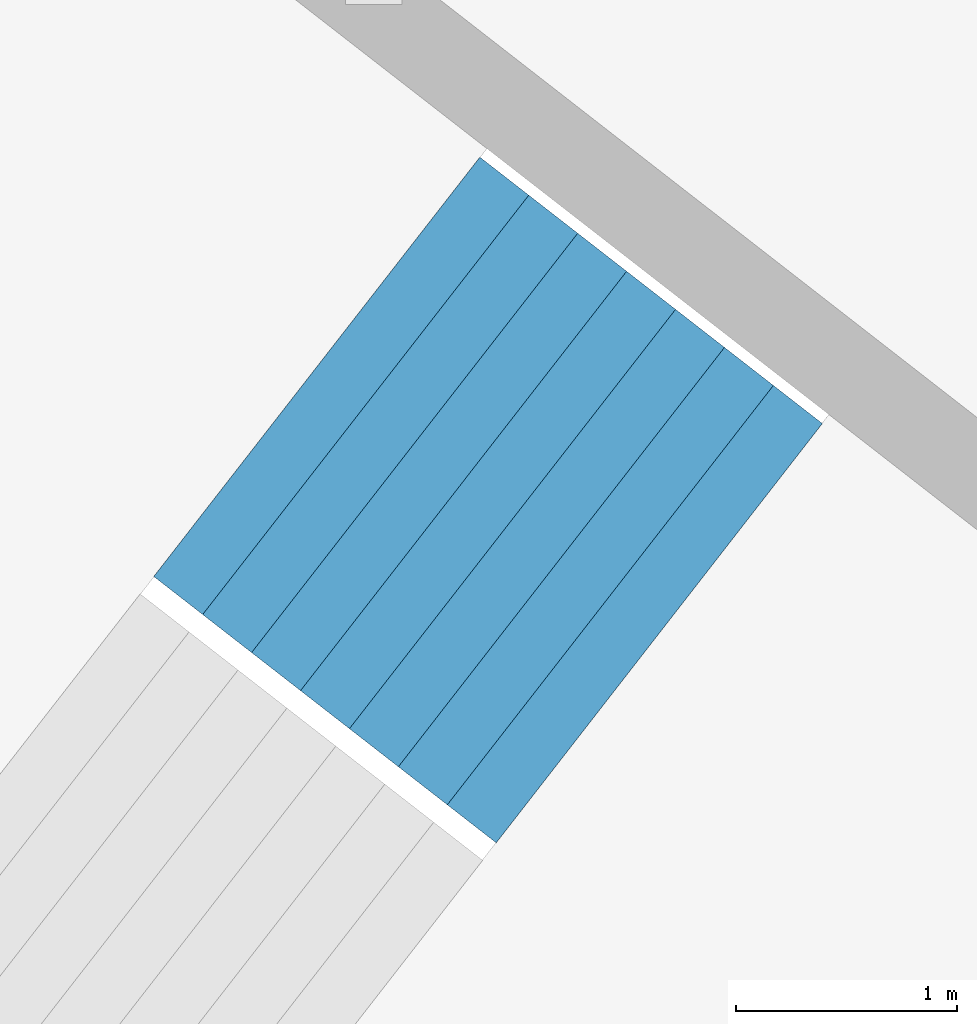
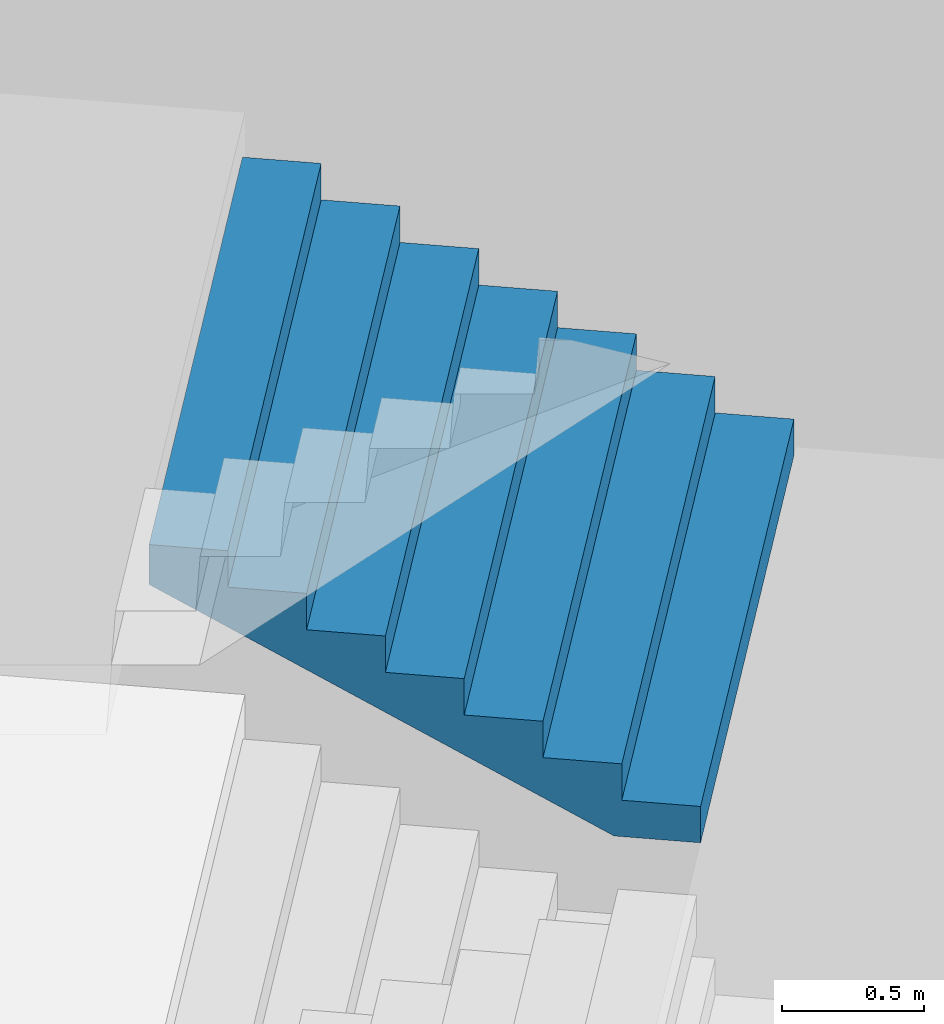
# One storey, part 40 of 73: 1 stair flight, 1 element without a shape of its own.
"""IFC4 building model written with IfcOpenShell, lengths in metres."""

from ifc_helpers import new_model, si_unit, direction, frame, origin, place, context, subcontext, project, spatial, triangles, material, type_object, element, aggregate, save


model = new_model("IFC4")

# Units and contexts
model_context = context("Model", 3, precision=1e-05, world=origin(), true_north=direction((0.0, 1.0)))
body_context = subcontext(model_context, "Body", "Model", "MODEL_VIEW")
ifc_project = project(units=[si_unit("LENGTHUNIT", "METRE"), si_unit("AREAUNIT", "SQUARE_METRE"), si_unit("VOLUMEUNIT", "CUBIC_METRE"), si_unit("PLANEANGLEUNIT", "RADIAN"), si_unit("MASSUNIT", "GRAM", prefix="KILO")], contexts=[model_context])

# Site, building, storey
site_placement = place(None, origin())
site = spatial("IfcSite", under=ifc_project, at=site_placement, CompositionType="ELEMENT")
building_placement = place(site_placement, origin())
building = spatial("IfcBuilding", under=site, at=building_placement, Name="Lantaw Convention Tower", CompositionType="ELEMENT")
storey_placement = place(building_placement, frame((0.0, 0.0, 27.0)))
storey = spatial("IfcBuildingStorey", under=building, at=storey_placement, Name="L04", CompositionType="ELEMENT", Elevation=27.0)

# Stair, stair flight
ifc_material = material(Name="Concrete C35/45", Category="concrete")
stair_type = type_object("IfcStairType", Name="Exit stair 2400 riser 156.25 in 4 flights", PredefinedType="HALF_TURN_STAIR", material=ifc_material)
stair_placement = place(storey_placement, origin())
stair = element("IfcStair", 1, at=stair_placement, inside=storey, type_object=stair_type, Name="Podium exit stair P7 L04", PredefinedType="HALF_TURN_STAIR")
stair_flight_type = type_object("IfcStairFlightType", Name="Stair flight 2400 riser 156.25", PredefinedType="STRAIGHT", material=ifc_material)
stair_flight_placement = place(storey_placement, frame((-27.959716796875, 23.327880859375, 2.5), z_axis=(0.0, 0.0, 1.0), x_axis=(-0.789378829664, 0.613906396186, 0.0)))
stair_flight = element("IfcStairFlight", 2, at=stair_flight_placement, type_object=stair_flight_type, Name="P7 flight 3", NumberOfRisers=8, NumberOfTreads=7, PredefinedType="STRAIGHT", RiserHeight=0.15625, TreadLength=0.28, context=body_context, shape_type="Tessellation", body=[
    triangles([(0.0, 1.199951171875, 0.0), (0.0, 1.199951171875, 0.15625), (0.28, 1.199951171875, 0.0), (0.28, 1.199951171875, 0.15625), (0.28, 1.199951171875, 0.3125), (0.3076200632058044, 1.199951171875, 0.0), (0.3076200632058044, 1.199951171875, 0.3125), (0.56, 1.199951171875, 0.14083701830033238), (0.56, 1.199951171875, 0.3125), (0.56, 1.199951171875, 0.46875), (0.8400000000000001, 1.199951171875, 0.29708701830033235), (0.8400000000000001, 1.199951171875, 0.46875), (0.8400000000000001, 1.199951171875, 0.625), (1.12, 1.199951171875, 0.45333701830033235), (1.12, 1.199951171875, 0.625), (1.12, 1.199951171875, 0.78125), (1.4000000000000001, 1.199951171875, 0.6095870183003324), (1.4000000000000001, 1.199951171875, 0.78125), (1.4000000000000001, 1.199951171875, 0.9375), (1.6800000000000002, 1.199951171875, 0.7658370183003324), (1.6800000000000002, 1.199951171875, 0.9375), (1.6800000000000002, 1.199951171875, 1.09375), (1.9600000000000002, 1.199951171875, 0.9220870183003324), (1.9600000000000002, 1.199951171875, 1.09375), (0.0, -1.199951171875, 0.0), (0.0, -1.199951171875, 0.15625), (0.28, -1.199951171875, 0.0), (0.28, -1.199951171875, 0.15625), (0.28, -1.199951171875, 0.3125), (0.3076200632058044, -1.199951171875, 0.0), (0.3076200632058044, -1.199951171875, 0.3125), (0.56, -1.199951171875, 0.14083701830033238), (0.56, -1.199951171875, 0.3125), (0.56, -1.199951171875, 0.46875), (0.8400000000000001, -1.199951171875, 0.29708701830033235), (0.8400000000000001, -1.199951171875, 0.46875), (0.8400000000000001, -1.199951171875, 0.625), (1.12, -1.199951171875, 0.45333701830033235), (1.12, -1.199951171875, 0.625), (1.12, -1.199951171875, 0.78125), (1.4000000000000001, -1.199951171875, 0.6095870183003324), (1.4000000000000001, -1.199951171875, 0.78125), (1.4000000000000001, -1.199951171875, 0.9375), (1.6800000000000002, -1.199951171875, 0.7658370183003324), (1.6800000000000002, -1.199951171875, 0.9375), (1.6800000000000002, -1.199951171875, 1.09375), (1.9600000000000002, -1.199951171875, 0.9220870183003324), (1.9600000000000002, -1.199951171875, 1.09375), (0.0, 0.239990234375, 0.15625), (0.0, 0.239990234375, 0.0), (0.0, 0.1919921875, 0.15625), (0.0, 0.1919921875, 0.0), (0.0, 0.143994140625, 0.15625), (0.0, 0.143994140625, 0.0), (0.0, 0.09599609375, 0.15625), (0.0, 0.09599609375, 0.0), (0.0, 0.047998046875, 0.15625), (0.0, 0.047998046875, 0.0), (0.0, 0.0, 0.15625), (0.0, 0.0, 0.0), (0.0, -0.047998046875, 0.15625), (0.0, -0.047998046875, 0.0), (0.0, -0.09599609375, 0.15625), (0.0, -0.09599609375, 0.0), (0.0, -0.143994140625, 0.15625), (0.0, -0.143994140625, 0.0), (0.0, -0.1919921875, 0.15625), (0.0, -0.1919921875, 0.0), (0.0, -0.239990234375, 0.15625), (0.0, -0.239990234375, 0.0), (0.28, 0.239990234375, 0.3125), (0.28, 0.239990234375, 0.15625), (0.28, 0.1919921875, 0.3125), (0.28, 0.1919921875, 0.15625), (0.28, 0.143994140625, 0.3125), (0.28, 0.143994140625, 0.15625), (0.28, 0.09599609375, 0.3125), (0.28, 0.09599609375, 0.15625), (0.28, 0.047998046875, 0.3125), (0.28, 0.047998046875, 0.15625), (0.28, 0.0, 0.3125), (0.28, 0.0, 0.15625), (0.28, -0.047998046875, 0.3125), (0.28, -0.047998046875, 0.15625), (0.28, -0.09599609375, 0.3125), (0.28, -0.09599609375, 0.15625), (0.28, -0.143994140625, 0.3125), (0.28, -0.143994140625, 0.15625), (0.28, -0.1919921875, 0.3125), (0.28, -0.1919921875, 0.15625), (0.28, -0.239990234375, 0.3125), (0.28, -0.239990234375, 0.15625), (0.56, 0.239990234375, 0.46875), (0.56, 0.239990234375, 0.3125), (0.56, 0.1919921875, 0.46875), (0.56, 0.1919921875, 0.3125), (0.56, 0.143994140625, 0.46875), (0.56, 0.143994140625, 0.3125), (0.56, 0.09599609375, 0.46875), (0.56, 0.09599609375, 0.3125), (0.56, 0.047998046875, 0.46875), (0.56, 0.047998046875, 0.3125), (0.56, 0.0, 0.46875), (0.56, 0.0, 0.3125), (0.56, -0.047998046875, 0.46875), (0.56, -0.047998046875, 0.3125), (0.56, -0.09599609375, 0.46875), (0.56, -0.09599609375, 0.3125), (0.56, -0.143994140625, 0.46875), (0.56, -0.143994140625, 0.3125), (0.56, -0.1919921875, 0.46875), (0.56, -0.1919921875, 0.3125), (0.56, -0.239990234375, 0.46875), (0.56, -0.239990234375, 0.3125), (0.8400000000000001, 0.239990234375, 0.625), (0.8400000000000001, 0.239990234375, 0.46875), (0.8400000000000001, 0.1919921875, 0.625), (0.8400000000000001, 0.1919921875, 0.46875), (0.8400000000000001, 0.143994140625, 0.625), (0.8400000000000001, 0.143994140625, 0.46875), (0.8400000000000001, 0.09599609375, 0.625), (0.8400000000000001, 0.09599609375, 0.46875), (0.8400000000000001, 0.047998046875, 0.625), (0.8400000000000001, 0.047998046875, 0.46875), (0.8400000000000001, 0.0, 0.625), (0.8400000000000001, 0.0, 0.46875), (0.8400000000000001, -0.047998046875, 0.625), (0.8400000000000001, -0.047998046875, 0.46875), (0.8400000000000001, -0.09599609375, 0.625), (0.8400000000000001, -0.09599609375, 0.46875), (0.8400000000000001, -0.143994140625, 0.625), (0.8400000000000001, -0.143994140625, 0.46875), (0.8400000000000001, -0.1919921875, 0.625), (0.8400000000000001, -0.1919921875, 0.46875), (0.8400000000000001, -0.239990234375, 0.625), (0.8400000000000001, -0.239990234375, 0.46875), (1.12, 0.239990234375, 0.78125), (1.12, 0.239990234375, 0.625), (1.12, 0.1919921875, 0.78125), (1.12, 0.1919921875, 0.625), (1.12, 0.143994140625, 0.78125), (1.12, 0.143994140625, 0.625), (1.12, 0.09599609375, 0.78125), (1.12, 0.09599609375, 0.625), (1.12, 0.047998046875, 0.78125), (1.12, 0.047998046875, 0.625), (1.12, 0.0, 0.78125), (1.12, 0.0, 0.625), (1.12, -0.047998046875, 0.78125), (1.12, -0.047998046875, 0.625), (1.12, -0.09599609375, 0.78125), (1.12, -0.09599609375, 0.625), (1.12, -0.143994140625, 0.78125), (1.12, -0.143994140625, 0.625), (1.12, -0.1919921875, 0.78125), (1.12, -0.1919921875, 0.625), (1.12, -0.239990234375, 0.78125), (1.12, -0.239990234375, 0.625), (1.4000000000000001, 0.239990234375, 0.9375), (1.4000000000000001, 0.239990234375, 0.78125), (1.4000000000000001, 0.1919921875, 0.9375), (1.4000000000000001, 0.1919921875, 0.78125), (1.4000000000000001, 0.143994140625, 0.9375), (1.4000000000000001, 0.143994140625, 0.78125), (1.4000000000000001, 0.09599609375, 0.9375), (1.4000000000000001, 0.09599609375, 0.78125), (1.4000000000000001, 0.047998046875, 0.9375), (1.4000000000000001, 0.047998046875, 0.78125), (1.4000000000000001, 0.0, 0.9375), (1.4000000000000001, 0.0, 0.78125), (1.4000000000000001, -0.047998046875, 0.9375), (1.4000000000000001, -0.047998046875, 0.78125), (1.4000000000000001, -0.09599609375, 0.9375), (1.4000000000000001, -0.09599609375, 0.78125), (1.4000000000000001, -0.143994140625, 0.9375), (1.4000000000000001, -0.143994140625, 0.78125), (1.4000000000000001, -0.1919921875, 0.9375), (1.4000000000000001, -0.1919921875, 0.78125), (1.4000000000000001, -0.239990234375, 0.9375), (1.4000000000000001, -0.239990234375, 0.78125), (1.6800000000000002, 0.239990234375, 1.09375), (1.6800000000000002, 0.239990234375, 0.9375), (1.6800000000000002, 0.1919921875, 1.09375), (1.6800000000000002, 0.1919921875, 0.9375), (1.6800000000000002, 0.143994140625, 1.09375), (1.6800000000000002, 0.143994140625, 0.9375), (1.6800000000000002, 0.09599609375, 1.09375), (1.6800000000000002, 0.09599609375, 0.9375), (1.6800000000000002, 0.047998046875, 1.09375), (1.6800000000000002, 0.047998046875, 0.9375), (1.6800000000000002, 0.0, 1.09375), (1.6800000000000002, 0.0, 0.9375), (1.6800000000000002, -0.047998046875, 1.09375), (1.6800000000000002, -0.047998046875, 0.9375), (1.6800000000000002, -0.09599609375, 1.09375), (1.6800000000000002, -0.09599609375, 0.9375), (1.6800000000000002, -0.143994140625, 1.09375), (1.6800000000000002, -0.143994140625, 0.9375), (1.6800000000000002, -0.1919921875, 1.09375), (1.6800000000000002, -0.1919921875, 0.9375), (1.6800000000000002, -0.239990234375, 1.09375), (1.6800000000000002, -0.239990234375, 0.9375), (0.3076200632058044, 0.239990234375, 0.3125), (0.3076200632058044, 0.1919921875, 0.3125), (0.3076200632058044, 0.143994140625, 0.3125), (0.3076200632058044, 0.09599609375, 0.3125), (0.3076200632058044, 0.047998046875, 0.3125), (0.3076200632058044, 0.0, 0.3125), (0.3076200632058044, -0.047998046875, 0.3125), (0.3076200632058044, -0.09599609375, 0.3125), (0.3076200632058044, -0.143994140625, 0.3125), (0.3076200632058044, -0.1919921875, 0.3125), (0.3076200632058044, -0.239990234375, 0.3125), (1.9600000000000002, 0.239990234375, 1.09375), (1.9600000000000002, 0.1919921875, 1.09375), (1.9600000000000002, 0.143994140625, 1.09375), (1.9600000000000002, 0.09599609375, 1.09375), (1.9600000000000002, 0.047998046875, 1.09375), (1.9600000000000002, 0.0, 1.09375), (1.9600000000000002, -0.047998046875, 1.09375), (1.9600000000000002, -0.09599609375, 1.09375), (1.9600000000000002, -0.143994140625, 1.09375), (1.9600000000000002, -0.1919921875, 1.09375), (1.9600000000000002, -0.239990234375, 1.09375), (1.9600000000000002, 0.239990234375, 0.9220870183003324), (1.9600000000000002, 0.1919921875, 0.9220870183003324), (1.9600000000000002, 0.143994140625, 0.9220870183003324), (1.9600000000000002, 0.09599609375, 0.9220870183003324), (1.9600000000000002, 0.047998046875, 0.9220870183003324), (1.9600000000000002, 0.0, 0.9220870183003324), (1.9600000000000002, -0.047998046875, 0.9220870183003324), (1.9600000000000002, -0.09599609375, 0.9220870183003324), (1.9600000000000002, -0.143994140625, 0.9220870183003324), (1.9600000000000002, -0.1919921875, 0.9220870183003324), (1.9600000000000002, -0.239990234375, 0.9220870183003324), (1.6800000000000002, 0.239990234375, 0.7658370183003324), (1.6800000000000002, 0.1919921875, 0.7658370183003324), (1.6800000000000002, 0.143994140625, 0.7658370183003324), (1.6800000000000002, 0.09599609375, 0.7658370183003324), (1.6800000000000002, 0.047998046875, 0.7658370183003324), (1.6800000000000002, 0.0, 0.7658370183003324), (1.6800000000000002, -0.047998046875, 0.7658370183003324), (1.6800000000000002, -0.09599609375, 0.7658370183003324), (1.6800000000000002, -0.143994140625, 0.7658370183003324), (1.6800000000000002, -0.1919921875, 0.7658370183003324), (1.6800000000000002, -0.239990234375, 0.7658370183003324), (1.4000000000000001, 0.239990234375, 0.6095870183003324), (1.4000000000000001, 0.1919921875, 0.6095870183003324), (1.4000000000000001, 0.143994140625, 0.6095870183003324), (1.4000000000000001, 0.09599609375, 0.6095870183003324), (1.4000000000000001, 0.047998046875, 0.6095870183003324), (1.4000000000000001, 0.0, 0.6095870183003324), (1.4000000000000001, -0.047998046875, 0.6095870183003324), (1.4000000000000001, -0.09599609375, 0.6095870183003324), (1.4000000000000001, -0.143994140625, 0.6095870183003324), (1.4000000000000001, -0.1919921875, 0.6095870183003324), (1.4000000000000001, -0.239990234375, 0.6095870183003324), (1.12, 0.239990234375, 0.45333701830033235), (1.12, 0.1919921875, 0.45333701830033235), (1.12, 0.143994140625, 0.45333701830033235), (1.12, 0.09599609375, 0.45333701830033235), (1.12, 0.047998046875, 0.45333701830033235), (1.12, 0.0, 0.45333701830033235), (1.12, -0.047998046875, 0.45333701830033235), (1.12, -0.09599609375, 0.45333701830033235), (1.12, -0.143994140625, 0.45333701830033235), (1.12, -0.1919921875, 0.45333701830033235), (1.12, -0.239990234375, 0.45333701830033235), (0.8400000000000001, 0.239990234375, 0.29708701830033235), (0.8400000000000001, 0.1919921875, 0.29708701830033235), (0.8400000000000001, 0.143994140625, 0.29708701830033235), (0.8400000000000001, 0.09599609375, 0.29708701830033235), (0.8400000000000001, 0.047998046875, 0.29708701830033235), (0.8400000000000001, 0.0, 0.29708701830033235), (0.8400000000000001, -0.047998046875, 0.29708701830033235), (0.8400000000000001, -0.09599609375, 0.29708701830033235), (0.8400000000000001, -0.143994140625, 0.29708701830033235), (0.8400000000000001, -0.1919921875, 0.29708701830033235), (0.8400000000000001, -0.239990234375, 0.29708701830033235), (0.56, 0.239990234375, 0.14083701830033238), (0.56, 0.1919921875, 0.14083701830033238), (0.56, 0.143994140625, 0.14083701830033238), (0.56, 0.09599609375, 0.14083701830033238), (0.56, 0.047998046875, 0.14083701830033238), (0.56, 0.0, 0.14083701830033238), (0.56, -0.047998046875, 0.14083701830033238), (0.56, -0.09599609375, 0.14083701830033238), (0.56, -0.143994140625, 0.14083701830033238), (0.56, -0.1919921875, 0.14083701830033238), (0.56, -0.239990234375, 0.14083701830033238), (0.3076200632058044, 0.239990234375, 0.0), (0.3076200632058044, 0.1919921875, 0.0), (0.3076200632058044, 0.143994140625, 0.0), (0.3076200632058044, 0.09599609375, 0.0), (0.3076200632058044, 0.047998046875, 0.0), (0.3076200632058044, 0.0, 0.0), (0.3076200632058044, -0.047998046875, 0.0), (0.3076200632058044, -0.09599609375, 0.0), (0.3076200632058044, -0.143994140625, 0.0), (0.3076200632058044, -0.1919921875, 0.0), (0.3076200632058044, -0.239990234375, 0.0), (0.28, 0.239990234375, 0.0), (0.28, 0.1919921875, 0.0), (0.28, 0.143994140625, 0.0), (0.28, 0.09599609375, 0.0), (0.28, 0.047998046875, 0.0), (0.28, 0.0, 0.0), (0.28, -0.047998046875, 0.0), (0.28, -0.09599609375, 0.0), (0.28, -0.143994140625, 0.0), (0.28, -0.1919921875, 0.0), (0.28, -0.239990234375, 0.0)], [[1, 4, 3], [1, 2, 4], [3, 4, 6], [4, 7, 6], [4, 5, 7], [6, 9, 8], [6, 7, 9], [8, 9, 11], [9, 12, 11], [9, 10, 12], [11, 12, 14], [12, 15, 14], [12, 13, 15], [14, 15, 17], [15, 18, 17], [15, 16, 18], [17, 18, 20], [18, 21, 20], [18, 19, 21], [20, 21, 23], [21, 24, 23], [21, 22, 24], [25, 27, 28], [25, 28, 26], [27, 30, 28], [28, 30, 31], [28, 31, 29], [30, 32, 33], [30, 33, 31], [32, 35, 33], [33, 35, 36], [33, 36, 34], [35, 38, 36], [36, 38, 39], [36, 39, 37], [38, 41, 39], [39, 41, 42], [39, 42, 40], [41, 44, 42], [42, 44, 45], [42, 45, 43], [44, 47, 45], [45, 47, 48], [45, 48, 46], [1, 49, 2], [1, 50, 49], [50, 51, 49], [50, 52, 51], [52, 53, 51], [52, 54, 53], [54, 55, 53], [54, 56, 55], [56, 57, 55], [56, 58, 57], [58, 59, 57], [58, 60, 59], [60, 61, 59], [60, 62, 61], [62, 63, 61], [62, 64, 63], [64, 65, 63], [64, 66, 65], [66, 67, 65], [66, 68, 67], [68, 69, 67], [68, 70, 69], [70, 26, 69], [70, 25, 26], [4, 71, 5], [4, 72, 71], [72, 73, 71], [72, 74, 73], [74, 75, 73], [74, 76, 75], [76, 77, 75], [76, 78, 77], [78, 79, 77], [78, 80, 79], [80, 81, 79], [80, 82, 81], [82, 83, 81], [82, 84, 83], [84, 85, 83], [84, 86, 85], [86, 87, 85], [86, 88, 87], [88, 89, 87], [88, 90, 89], [90, 91, 89], [90, 92, 91], [92, 29, 91], [92, 28, 29], [9, 93, 10], [9, 94, 93], [94, 95, 93], [94, 96, 95], [96, 97, 95], [96, 98, 97], [98, 99, 97], [98, 100, 99], [100, 101, 99], [100, 102, 101], [102, 103, 101], [102, 104, 103], [104, 105, 103], [104, 106, 105], [106, 107, 105], [106, 108, 107], [108, 109, 107], [108, 110, 109], [110, 111, 109], [110, 112, 111], [112, 113, 111], [112, 114, 113], [114, 34, 113], [114, 33, 34], [12, 115, 13], [12, 116, 115], [116, 117, 115], [116, 118, 117], [118, 119, 117], [118, 120, 119], [120, 121, 119], [120, 122, 121], [122, 123, 121], [122, 124, 123], [124, 125, 123], [124, 126, 125], [126, 127, 125], [126, 128, 127], [128, 129, 127], [128, 130, 129], [130, 131, 129], [130, 132, 131], [132, 133, 131], [132, 134, 133], [134, 135, 133], [134, 136, 135], [136, 37, 135], [136, 36, 37], [15, 137, 16], [15, 138, 137], [138, 139, 137], [138, 140, 139], [140, 141, 139], [140, 142, 141], [142, 143, 141], [142, 144, 143], [144, 145, 143], [144, 146, 145], [146, 147, 145], [146, 148, 147], [148, 149, 147], [148, 150, 149], [150, 151, 149], [150, 152, 151], [152, 153, 151], [152, 154, 153], [154, 155, 153], [154, 156, 155], [156, 157, 155], [156, 158, 157], [158, 40, 157], [158, 39, 40], [18, 159, 19], [18, 160, 159], [160, 161, 159], [160, 162, 161], [162, 163, 161], [162, 164, 163], [164, 165, 163], [164, 166, 165], [166, 167, 165], [166, 168, 167], [168, 169, 167], [168, 170, 169], [170, 171, 169], [170, 172, 171], [172, 173, 171], [172, 174, 173], [174, 175, 173], [174, 176, 175], [176, 177, 175], [176, 178, 177], [178, 179, 177], [178, 180, 179], [180, 43, 179], [180, 42, 43], [21, 181, 22], [21, 182, 181], [182, 183, 181], [182, 184, 183], [184, 185, 183], [184, 186, 185], [186, 187, 185], [186, 188, 187], [188, 189, 187], [188, 190, 189], [190, 191, 189], [190, 192, 191], [192, 193, 191], [192, 194, 193], [194, 195, 193], [194, 196, 195], [196, 197, 195], [196, 198, 197], [198, 199, 197], [198, 200, 199], [200, 201, 199], [200, 202, 201], [202, 46, 201], [202, 45, 46], [2, 72, 4], [2, 49, 72], [49, 74, 72], [49, 51, 74], [51, 76, 74], [51, 53, 76], [53, 78, 76], [53, 55, 78], [55, 80, 78], [55, 57, 80], [57, 82, 80], [57, 59, 82], [59, 84, 82], [59, 61, 84], [61, 86, 84], [61, 63, 86], [63, 88, 86], [63, 65, 88], [65, 90, 88], [65, 67, 90], [67, 92, 90], [67, 69, 92], [69, 28, 92], [69, 26, 28], [5, 203, 7], [5, 71, 203], [71, 204, 203], [71, 73, 204], [73, 205, 204], [73, 75, 205], [75, 206, 205], [75, 77, 206], [77, 207, 206], [77, 79, 207], [79, 208, 207], [79, 81, 208], [81, 209, 208], [81, 83, 209], [83, 210, 209], [83, 85, 210], [85, 211, 210], [85, 87, 211], [87, 212, 211], [87, 89, 212], [89, 213, 212], [89, 91, 213], [91, 31, 213], [91, 29, 31], [7, 94, 9], [7, 203, 94], [203, 96, 94], [203, 204, 96], [204, 98, 96], [204, 205, 98], [205, 100, 98], [205, 206, 100], [206, 102, 100], [206, 207, 102], [207, 104, 102], [207, 208, 104], [208, 106, 104], [208, 209, 106], [209, 108, 106], [209, 210, 108], [210, 110, 108], [210, 211, 110], [211, 112, 110], [211, 212, 112], [212, 114, 112], [212, 213, 114], [213, 33, 114], [213, 31, 33], [10, 116, 12], [10, 93, 116], [93, 118, 116], [93, 95, 118], [95, 120, 118], [95, 97, 120], [97, 122, 120], [97, 99, 122], [99, 124, 122], [99, 101, 124], [101, 126, 124], [101, 103, 126], [103, 128, 126], [103, 105, 128], [105, 130, 128], [105, 107, 130], [107, 132, 130], [107, 109, 132], [109, 134, 132], [109, 111, 134], [111, 136, 134], [111, 113, 136], [113, 36, 136], [113, 34, 36], [13, 138, 15], [13, 115, 138], [115, 140, 138], [115, 117, 140], [117, 142, 140], [117, 119, 142], [119, 144, 142], [119, 121, 144], [121, 146, 144], [121, 123, 146], [123, 148, 146], [123, 125, 148], [125, 150, 148], [125, 127, 150], [127, 152, 150], [127, 129, 152], [129, 154, 152], [129, 131, 154], [131, 156, 154], [131, 133, 156], [133, 158, 156], [133, 135, 158], [135, 39, 158], [135, 37, 39], [16, 160, 18], [16, 137, 160], [137, 162, 160], [137, 139, 162], [139, 164, 162], [139, 141, 164], [141, 166, 164], [141, 143, 166], [143, 168, 166], [143, 145, 168], [145, 170, 168], [145, 147, 170], [147, 172, 170], [147, 149, 172], [149, 174, 172], [149, 151, 174], [151, 176, 174], [151, 153, 176], [153, 178, 176], [153, 155, 178], [155, 180, 178], [155, 157, 180], [157, 42, 180], [157, 40, 42], [19, 182, 21], [19, 159, 182], [159, 184, 182], [159, 161, 184], [161, 186, 184], [161, 163, 186], [163, 188, 186], [163, 165, 188], [165, 190, 188], [165, 167, 190], [167, 192, 190], [167, 169, 192], [169, 194, 192], [169, 171, 194], [171, 196, 194], [171, 173, 196], [173, 198, 196], [173, 175, 198], [175, 200, 198], [175, 177, 200], [177, 202, 200], [177, 179, 202], [179, 45, 202], [179, 43, 45], [22, 214, 24], [22, 181, 214], [181, 215, 214], [181, 183, 215], [183, 216, 215], [183, 185, 216], [185, 217, 216], [185, 187, 217], [187, 218, 217], [187, 189, 218], [189, 219, 218], [189, 191, 219], [191, 220, 219], [191, 193, 220], [193, 221, 220], [193, 195, 221], [195, 222, 221], [195, 197, 222], [197, 223, 222], [197, 199, 223], [199, 224, 223], [199, 201, 224], [201, 48, 224], [201, 46, 48], [24, 225, 23], [24, 214, 225], [214, 226, 225], [214, 215, 226], [215, 227, 226], [215, 216, 227], [216, 228, 227], [216, 217, 228], [217, 229, 228], [217, 218, 229], [218, 230, 229], [218, 219, 230], [219, 231, 230], [219, 220, 231], [220, 232, 231], [220, 221, 232], [221, 233, 232], [221, 222, 233], [222, 234, 233], [222, 223, 234], [223, 235, 234], [223, 224, 235], [224, 47, 235], [224, 48, 47], [23, 236, 20], [23, 225, 236], [225, 237, 236], [225, 226, 237], [226, 238, 237], [226, 227, 238], [227, 239, 238], [227, 228, 239], [228, 240, 239], [228, 229, 240], [229, 241, 240], [229, 230, 241], [230, 242, 241], [230, 231, 242], [231, 243, 242], [231, 232, 243], [232, 244, 243], [232, 233, 244], [233, 245, 244], [233, 234, 245], [234, 246, 245], [234, 235, 246], [235, 44, 246], [235, 47, 44], [20, 247, 17], [20, 236, 247], [236, 248, 247], [236, 237, 248], [237, 249, 248], [237, 238, 249], [238, 250, 249], [238, 239, 250], [239, 251, 250], [239, 240, 251], [240, 252, 251], [240, 241, 252], [241, 253, 252], [241, 242, 253], [242, 254, 253], [242, 243, 254], [243, 255, 254], [243, 244, 255], [244, 256, 255], [244, 245, 256], [245, 257, 256], [245, 246, 257], [246, 41, 257], [246, 44, 41], [17, 258, 14], [17, 247, 258], [247, 259, 258], [247, 248, 259], [248, 260, 259], [248, 249, 260], [249, 261, 260], [249, 250, 261], [250, 262, 261], [250, 251, 262], [251, 263, 262], [251, 252, 263], [252, 264, 263], [252, 253, 264], [253, 265, 264], [253, 254, 265], [254, 266, 265], [254, 255, 266], [255, 267, 266], [255, 256, 267], [256, 268, 267], [256, 257, 268], [257, 38, 268], [257, 41, 38], [14, 269, 11], [14, 258, 269], [258, 270, 269], [258, 259, 270], [259, 271, 270], [259, 260, 271], [260, 272, 271], [260, 261, 272], [261, 273, 272], [261, 262, 273], [262, 274, 273], [262, 263, 274], [263, 275, 274], [263, 264, 275], [264, 276, 275], [264, 265, 276], [265, 277, 276], [265, 266, 277], [266, 278, 277], [266, 267, 278], [267, 279, 278], [267, 268, 279], [268, 35, 279], [268, 38, 35], [11, 280, 8], [11, 269, 280], [269, 281, 280], [269, 270, 281], [270, 282, 281], [270, 271, 282], [271, 283, 282], [271, 272, 283], [272, 284, 283], [272, 273, 284], [273, 285, 284], [273, 274, 285], [274, 286, 285], [274, 275, 286], [275, 287, 286], [275, 276, 287], [276, 288, 287], [276, 277, 288], [277, 289, 288], [277, 278, 289], [278, 290, 289], [278, 279, 290], [279, 32, 290], [279, 35, 32], [8, 291, 6], [8, 280, 291], [280, 292, 291], [280, 281, 292], [281, 293, 292], [281, 282, 293], [282, 294, 293], [282, 283, 294], [283, 295, 294], [283, 284, 295], [284, 296, 295], [284, 285, 296], [285, 297, 296], [285, 286, 297], [286, 298, 297], [286, 287, 298], [287, 299, 298], [287, 288, 299], [288, 300, 299], [288, 289, 300], [289, 301, 300], [289, 290, 301], [290, 30, 301], [290, 32, 30], [6, 302, 3], [6, 291, 302], [291, 303, 302], [291, 292, 303], [292, 304, 303], [292, 293, 304], [293, 305, 304], [293, 294, 305], [294, 306, 305], [294, 295, 306], [295, 307, 306], [295, 296, 307], [296, 308, 307], [296, 297, 308], [297, 309, 308], [297, 298, 309], [298, 310, 309], [298, 299, 310], [299, 311, 310], [299, 300, 311], [300, 312, 311], [300, 301, 312], [301, 27, 312], [301, 30, 27], [3, 50, 1], [3, 302, 50], [302, 52, 50], [302, 303, 52], [303, 54, 52], [303, 304, 54], [304, 56, 54], [304, 305, 56], [305, 58, 56], [305, 306, 58], [306, 60, 58], [306, 307, 60], [307, 62, 60], [307, 308, 62], [308, 64, 62], [308, 309, 64], [309, 66, 64], [309, 310, 66], [310, 68, 66], [310, 311, 68], [311, 70, 68], [311, 312, 70], [312, 25, 70], [312, 27, 25]], closed=True),
])
aggregate(stair, [stair_flight])

save(model, "model.ifc")
